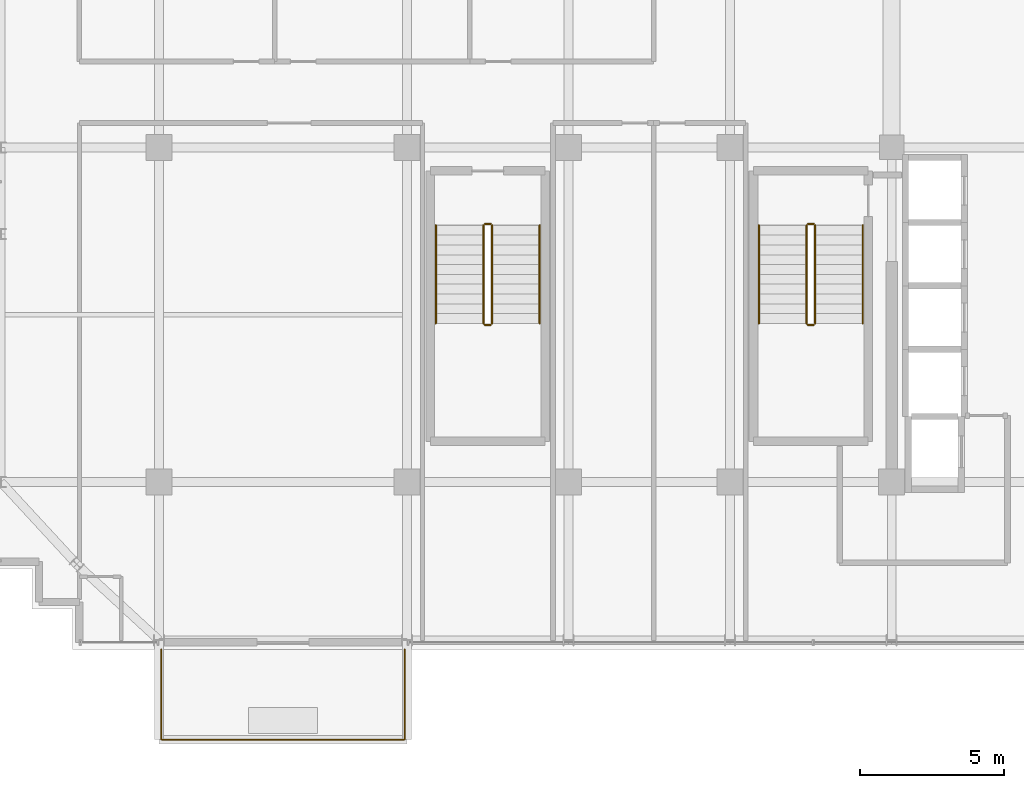
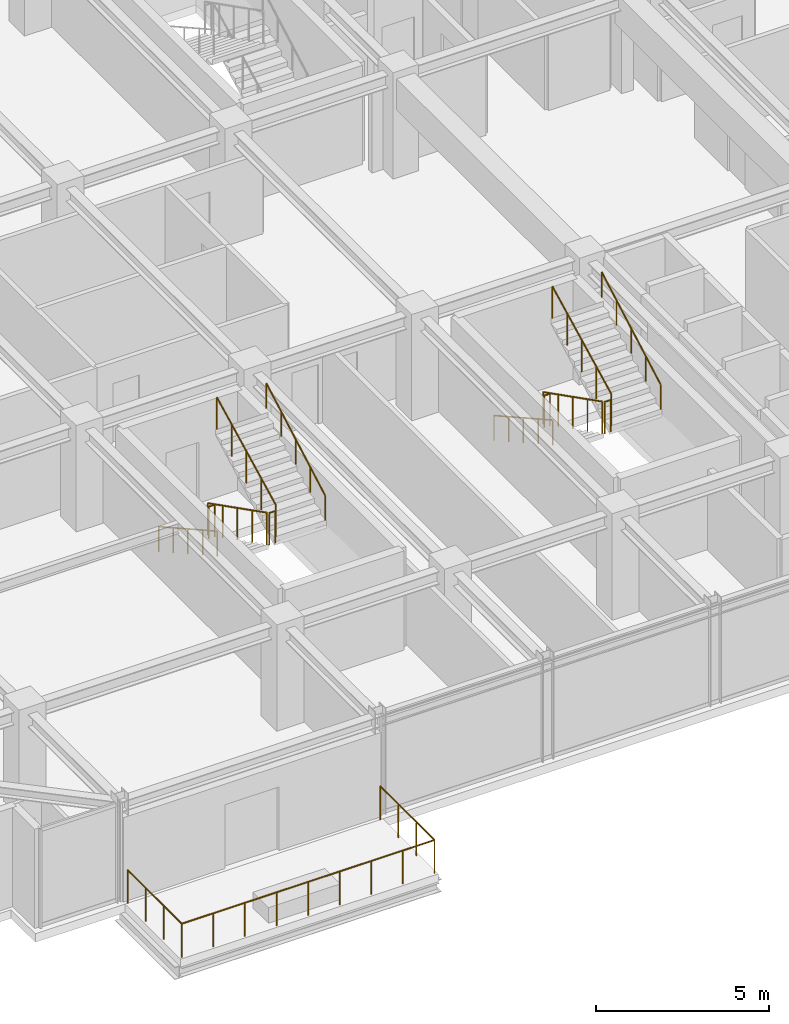
# One storey, part 30 of 32: 13 railings.
"""IFC4 building model written with IfcOpenShell, lengths in metres."""

from ifc_helpers import new_model, si_unit, direction, frame, origin, origin_2d, place, context, subcontext, project, spatial, circle, extrude, material, type_object, element, save


model = new_model("IFC4")

# Units and contexts
model_context = context("Model", 3, precision=1e-05, world=origin(), true_north=direction((0.0, 1.0)))
body_context = subcontext(model_context, "Body", "Model", "MODEL_VIEW")
ifc_project = project(units=[si_unit("LENGTHUNIT", "METRE"), si_unit("AREAUNIT", "SQUARE_METRE"), si_unit("VOLUMEUNIT", "CUBIC_METRE"), si_unit("PLANEANGLEUNIT", "RADIAN"), si_unit("MASSUNIT", "GRAM", prefix="KILO")], contexts=[model_context])

# Site, building, storey
site_placement = place(None, origin())
site = spatial("IfcSite", under=ifc_project, at=site_placement, CompositionType="ELEMENT")
building_placement = place(site_placement, origin())
building = spatial("IfcBuilding", under=site, at=building_placement, Name="Nahalor Promenade Grand Hotel", CompositionType="ELEMENT")
storey_placement = place(building_placement, frame((0.0, 0.0, 330.949951171875)))
storey = spatial("IfcBuildingStorey", under=building, at=storey_placement, Name="L85", CompositionType="ELEMENT", Elevation=330.949951171875)

# Railings
ifc_material_1 = material(Name="Anodised Bronze Aluminium EN AW-6063 T6", Category="aluminium")
railing_type_1 = type_object("IfcRailingType", Name="Bronze Balcony Guardrail 1200 mm", PredefinedType="GUARDRAIL", material=ifc_material_1)
railing_1_placement = place(storey_placement, frame((-16.919921875, -22.800048828125, 0.0)))
element("IfcRailing", 1, at=railing_1_placement, inside=storey, type_object=railing_type_1, Name="L85 Balcony Guardrail 1", PredefinedType="GUARDRAIL", context=body_context, shape_type="SweptSolid", body=[
    extrude(circle(Radius=0.024048, at=origin_2d()), frame((0.0, 0.0, 1.17578125), z_axis=(0.0, -1.0, 0.0), x_axis=(1.0, 0.0, 0.0)), (0.0, 0.0, 1.0), 3.1279296875),
    extrude(circle(Radius=0.024048, at=origin_2d()), frame((0.001953125, -3.1298828125, 1.17578125), z_axis=(1.0, 0.0, 0.0), x_axis=(0.0, 1.0, 0.0)), (0.0, 0.0, 1.0), 8.43603515625),
    extrude(circle(Radius=0.024048, at=origin_2d()), frame((8.43994140625, -3.1279296875, 1.17578125), z_axis=(0.0, 1.0, 0.0), x_axis=(-1.0, 0.0, 0.0)), (0.0, 0.0, 1.0), 3.1279296875),
    extrude(circle(Radius=0.020996, at=origin_2d()), origin(), (0.0, 0.0, 1.0), 1.14990234375),
    extrude(circle(Radius=0.020996, at=origin_2d()), frame((0.0, -1.043212890625, 0.0)), (0.0, 0.0, 1.0), 1.14990234375),
    extrude(circle(Radius=0.020996, at=origin_2d()), frame((0.0, -2.086669921875, 0.0)), (0.0, 0.0, 1.0), 1.14990234375),
    extrude(circle(Radius=0.020996, at=origin_2d()), frame((0.0, -3.1298828125, 0.0)), (0.0, 0.0, 1.0), 1.14990234375),
    extrude(circle(Radius=0.020996, at=origin_2d()), frame((1.054931640625, -3.1298828125, 0.0)), (0.0, 0.0, 1.0), 1.14990234375),
    extrude(circle(Radius=0.020996, at=origin_2d()), frame((2.10986328125, -3.1298828125, 0.0)), (0.0, 0.0, 1.0), 1.14990234375),
    extrude(circle(Radius=0.020996, at=origin_2d()), frame((3.1650390625, -3.1298828125, 0.0)), (0.0, 0.0, 1.0), 1.14990234375),
    extrude(circle(Radius=0.020996, at=origin_2d()), frame((4.219970703125, -3.1298828125, 0.0)), (0.0, 0.0, 1.0), 1.14990234375),
    extrude(circle(Radius=0.020996, at=origin_2d()), frame((5.27490234375, -3.1298828125, 0.0)), (0.0, 0.0, 1.0), 1.14990234375),
    extrude(circle(Radius=0.020996, at=origin_2d()), frame((6.330078125, -3.1298828125, 0.0)), (0.0, 0.0, 1.0), 1.14990234375),
    extrude(circle(Radius=0.020996, at=origin_2d()), frame((7.385009765625, -3.1298828125, 0.0)), (0.0, 0.0, 1.0), 1.14990234375),
    extrude(circle(Radius=0.020996, at=origin_2d()), frame((8.43994140625, -3.1298828125, 0.0)), (0.0, 0.0, 1.0), 1.14990234375),
    extrude(circle(Radius=0.020996, at=origin_2d()), frame((8.43994140625, -2.086669921875, 0.0)), (0.0, 0.0, 1.0), 1.14990234375),
    extrude(circle(Radius=0.020996, at=origin_2d()), frame((8.43994140625, -1.043212890625, 0.0)), (0.0, 0.0, 1.0), 1.14990234375),
    extrude(circle(Radius=0.020996, at=origin_2d()), frame((8.43994140625, 0.0, 0.0)), (0.0, 0.0, 1.0), 1.14990234375),
])
ifc_material_2 = material(Name="Steel S355JR", Category="steel")
railing_type_2 = type_object("IfcRailingType", Name="Steel Stair Guardrail 1150 mm", PredefinedType="GUARDRAIL", material=ifc_material_2)
railing_2_placement = place(storey_placement, frame((5.449951171875, -8.10009765625, 0.1728515625)))
element("IfcRailing", 2, at=railing_2_placement, inside=storey, type_object=railing_type_2, Name="L85 ST2 stair guard 1", PredefinedType="GUARDRAIL", context=body_context, shape_type="SweptSolid", body=[
    extrude(circle(Radius=0.024048, at=origin_2d()), frame((0.0, 0.0, 1.1259765625), z_axis=(0.0, -0.89154070688, 0.452940578858), x_axis=(1.0, 0.0, 0.0)), (0.0, 0.0, 1.0), 3.8134765625),
    extrude(circle(Radius=0.020996, at=origin_2d()), origin(), (0.0, 0.0, 1.0), 1.099853515625),
    extrude(circle(Radius=0.020996, at=origin_2d()), frame((0.0, -0.85009765625, 0.431884765625)), (0.0, 0.0, 1.0), 1.099853515625),
    extrude(circle(Radius=0.020996, at=origin_2d()), frame((0.0, -1.699951171875, 0.86376953125)), (0.0, 0.0, 1.0), 1.099853515625),
    extrude(circle(Radius=0.020996, at=origin_2d()), frame((0.0, -2.5498046875, 1.29541015625)), (0.0, 0.0, 1.0), 1.099853515625),
    extrude(circle(Radius=0.020996, at=origin_2d()), frame((0.0, -3.39990234375, 1.727294921875)), (0.0, 0.0, 1.0), 1.099853515625),
])
railing_3_placement = place(storey_placement, frame((5.5, -11.550048828125, 1.900146484375)))
element("IfcRailing", 3, at=railing_3_placement, inside=storey, type_object=railing_type_2, Name="L85 ST2 stair guard 2", PredefinedType="GUARDRAIL", context=body_context, shape_type="SweptSolid", body=[
    extrude(circle(Radius=0.024048, at=origin_2d()), frame((0.0, 0.0, 1.1259765625), z_axis=(1.0, 0.0, 0.0), x_axis=(0.0, 1.0, 0.0)), (0.0, 0.0, 1.0), 0.199951171875),
    extrude(circle(Radius=0.020996, at=origin_2d()), origin(), (0.0, 0.0, 1.0), 1.099853515625),
    extrude(circle(Radius=0.020996, at=origin_2d()), frame((0.199951171875, 0.0, 0.0)), (0.0, 0.0, 1.0), 1.099853515625),
])
railing_4_placement = place(storey_placement, frame((5.75, -11.5, 2.07275390625)))
element("IfcRailing", 4, at=railing_4_placement, inside=storey, type_object=railing_type_2, Name="L85 ST2 stair guard 3", PredefinedType="GUARDRAIL", context=body_context, shape_type="SweptSolid", body=[
    extrude(circle(Radius=0.024048, at=origin_2d()), frame((0.0, 0.0, 1.1259765625), z_axis=(0.0, 0.89154070688, 0.452940578858), x_axis=(-1.0, 0.0, 0.0)), (0.0, 0.0, 1.0), 3.8134765625),
    extrude(circle(Radius=0.020996, at=origin_2d()), origin(), (0.0, 0.0, 1.0), 1.099853515625),
    extrude(circle(Radius=0.020996, at=origin_2d()), frame((0.0, 0.85009765625, 0.431884765625)), (0.0, 0.0, 1.0), 1.099853515625),
    extrude(circle(Radius=0.020996, at=origin_2d()), frame((0.0, 1.699951171875, 0.86376953125)), (0.0, 0.0, 1.0), 1.099853515625),
    extrude(circle(Radius=0.020996, at=origin_2d()), frame((0.0, 2.5498046875, 1.29541015625)), (0.0, 0.0, 1.0), 1.099853515625),
    extrude(circle(Radius=0.020996, at=origin_2d()), frame((0.0, 3.39990234375, 1.727294921875)), (0.0, 0.0, 1.0), 1.099853515625),
])
railing_5_placement = place(storey_placement, frame((5.5, -8.050048828125, 0.0)))
element("IfcRailing", 5, at=railing_5_placement, inside=storey, type_object=railing_type_2, Name="L85 ST2 stair guard 4", PredefinedType="GUARDRAIL", context=body_context, shape_type="SweptSolid", body=[
    extrude(circle(Radius=0.024048, at=origin_2d()), frame((0.0, 0.0, 1.1259765625), z_axis=(1.0, 0.0, 0.0), x_axis=(0.0, 1.0, 0.0)), (0.0, 0.0, 1.0), 0.199951171875),
    extrude(circle(Radius=0.020996, at=origin_2d()), origin(), (0.0, 0.0, 1.0), 1.099853515625),
    extrude(circle(Radius=0.020996, at=origin_2d()), frame((0.199951171875, 0.0, 0.0)), (0.0, 0.0, 1.0), 1.099853515625),
])
railing_6_placement = place(storey_placement, frame((-5.75, -8.10009765625, 0.1728515625)))
element("IfcRailing", 6, at=railing_6_placement, inside=storey, type_object=railing_type_2, Name="L85 ST3 stair guard 1", PredefinedType="GUARDRAIL", context=body_context, shape_type="SweptSolid", body=[
    extrude(circle(Radius=0.024048, at=origin_2d()), frame((0.0, 0.0, 1.1259765625), z_axis=(0.0, -0.89154070688, 0.452940578858), x_axis=(1.0, 0.0, 0.0)), (0.0, 0.0, 1.0), 3.8134765625),
    extrude(circle(Radius=0.020996, at=origin_2d()), origin(), (0.0, 0.0, 1.0), 1.099853515625),
    extrude(circle(Radius=0.020996, at=origin_2d()), frame((0.0, -0.85009765625, 0.431884765625)), (0.0, 0.0, 1.0), 1.099853515625),
    extrude(circle(Radius=0.020996, at=origin_2d()), frame((0.0, -1.699951171875, 0.86376953125)), (0.0, 0.0, 1.0), 1.099853515625),
    extrude(circle(Radius=0.020996, at=origin_2d()), frame((0.0, -2.5498046875, 1.29541015625)), (0.0, 0.0, 1.0), 1.099853515625),
    extrude(circle(Radius=0.020996, at=origin_2d()), frame((0.0, -3.39990234375, 1.727294921875)), (0.0, 0.0, 1.0), 1.099853515625),
])
railing_7_placement = place(storey_placement, frame((-5.699951171875, -11.550048828125, 1.900146484375)))
element("IfcRailing", 7, at=railing_7_placement, inside=storey, type_object=railing_type_2, Name="L85 ST3 stair guard 2", PredefinedType="GUARDRAIL", context=body_context, shape_type="SweptSolid", body=[
    extrude(circle(Radius=0.024048, at=origin_2d()), frame((0.0, 0.0, 1.1259765625), z_axis=(1.0, 0.0, 0.0), x_axis=(0.0, 1.0, 0.0)), (0.0, 0.0, 1.0), 0.199951171875),
    extrude(circle(Radius=0.020996, at=origin_2d()), origin(), (0.0, 0.0, 1.0), 1.099853515625),
    extrude(circle(Radius=0.020996, at=origin_2d()), frame((0.199951171875, 0.0, 0.0)), (0.0, 0.0, 1.0), 1.099853515625),
])
railing_8_placement = place(storey_placement, frame((-5.449951171875, -11.5, 2.07275390625)))
element("IfcRailing", 8, at=railing_8_placement, inside=storey, type_object=railing_type_2, Name="L85 ST3 stair guard 3", PredefinedType="GUARDRAIL", context=body_context, shape_type="SweptSolid", body=[
    extrude(circle(Radius=0.024048, at=origin_2d()), frame((0.0, 0.0, 1.1259765625), z_axis=(0.0, 0.89154070688, 0.452940578858), x_axis=(-1.0, 0.0, 0.0)), (0.0, 0.0, 1.0), 3.8134765625),
    extrude(circle(Radius=0.020996, at=origin_2d()), origin(), (0.0, 0.0, 1.0), 1.099853515625),
    extrude(circle(Radius=0.020996, at=origin_2d()), frame((0.0, 0.85009765625, 0.431884765625)), (0.0, 0.0, 1.0), 1.099853515625),
    extrude(circle(Radius=0.020996, at=origin_2d()), frame((0.0, 1.699951171875, 0.86376953125)), (0.0, 0.0, 1.0), 1.099853515625),
    extrude(circle(Radius=0.020996, at=origin_2d()), frame((0.0, 2.5498046875, 1.29541015625)), (0.0, 0.0, 1.0), 1.099853515625),
    extrude(circle(Radius=0.020996, at=origin_2d()), frame((0.0, 3.39990234375, 1.727294921875)), (0.0, 0.0, 1.0), 1.099853515625),
])
railing_9_placement = place(storey_placement, frame((-5.699951171875, -8.050048828125, 0.0)))
element("IfcRailing", 9, at=railing_9_placement, inside=storey, type_object=railing_type_2, Name="L85 ST3 stair guard 4", PredefinedType="GUARDRAIL", context=body_context, shape_type="SweptSolid", body=[
    extrude(circle(Radius=0.024048, at=origin_2d()), frame((0.0, 0.0, 1.1259765625), z_axis=(1.0, 0.0, 0.0), x_axis=(0.0, 1.0, 0.0)), (0.0, 0.0, 1.0), 0.199951171875),
    extrude(circle(Radius=0.020996, at=origin_2d()), origin(), (0.0, 0.0, 1.0), 1.099853515625),
    extrude(circle(Radius=0.020996, at=origin_2d()), frame((0.199951171875, 0.0, 0.0)), (0.0, 0.0, 1.0), 1.099853515625),
])
railing_type_3 = type_object("IfcRailingType", Name="Steel Stair Handrail 900 mm", PredefinedType="HANDRAIL", material=ifc_material_2)
railing_10_placement = place(storey_placement, frame((3.800048828125, -8.10009765625, 0.1728515625)))
element("IfcRailing", 10, at=railing_10_placement, inside=storey, type_object=railing_type_3, Name="L85 ST2 stair handrail 1", PredefinedType="HANDRAIL", context=body_context, shape_type="SweptSolid", body=[
    extrude(circle(Radius=0.024048, at=origin_2d()), frame((0.0, 0.0, 0.8759765625), z_axis=(0.0, -0.872948192752, 0.487812928048), x_axis=(1.0, 0.0, 0.0)), (0.0, 0.0, 1.0), 3.894775390625),
    extrude(circle(Radius=0.020996, at=origin_2d()), origin(), (0.0, 0.0, 1.0), 0.849853515625),
    extrude(circle(Radius=0.020996, at=origin_2d()), frame((0.0, -0.85009765625, 0.47509765625)), (0.0, 0.0, 1.0), 0.849853515625),
    extrude(circle(Radius=0.020996, at=origin_2d()), frame((0.0, -1.699951171875, 0.949951171875)), (0.0, 0.0, 1.0), 0.849853515625),
    extrude(circle(Radius=0.020996, at=origin_2d()), frame((0.0, -2.5498046875, 1.4248046875)), (0.0, 0.0, 1.0), 0.849853515625),
    extrude(circle(Radius=0.020996, at=origin_2d()), frame((0.0, -3.39990234375, 1.89990234375)), (0.0, 0.0, 1.0), 0.849853515625),
])
railing_11_placement = place(storey_placement, frame((7.39990234375, -11.5, 2.07275390625)))
element("IfcRailing", 11, at=railing_11_placement, inside=storey, type_object=railing_type_3, Name="L85 ST2 stair handrail 2", PredefinedType="HANDRAIL", context=body_context, shape_type="SweptSolid", body=[
    extrude(circle(Radius=0.024048, at=origin_2d()), frame((0.0, 0.0, 0.8759765625), z_axis=(0.0, 0.872948192752, 0.487812928048), x_axis=(-1.0, 0.0, 0.0)), (0.0, 0.0, 1.0), 3.894775390625),
    extrude(circle(Radius=0.020996, at=origin_2d()), origin(), (0.0, 0.0, 1.0), 0.849853515625),
    extrude(circle(Radius=0.020996, at=origin_2d()), frame((0.0, 0.85009765625, 0.47509765625)), (0.0, 0.0, 1.0), 0.849853515625),
    extrude(circle(Radius=0.020996, at=origin_2d()), frame((0.0, 1.699951171875, 0.949951171875)), (0.0, 0.0, 1.0), 0.849853515625),
    extrude(circle(Radius=0.020996, at=origin_2d()), frame((0.0, 2.5498046875, 1.4248046875)), (0.0, 0.0, 1.0), 0.849853515625),
    extrude(circle(Radius=0.020996, at=origin_2d()), frame((0.0, 3.39990234375, 1.89990234375)), (0.0, 0.0, 1.0), 0.849853515625),
])
railing_12_placement = place(storey_placement, frame((-7.39990234375, -8.10009765625, 0.1728515625)))
element("IfcRailing", 12, at=railing_12_placement, inside=storey, type_object=railing_type_3, Name="L85 ST3 stair handrail 1", PredefinedType="HANDRAIL", context=body_context, shape_type="SweptSolid", body=[
    extrude(circle(Radius=0.024048, at=origin_2d()), frame((0.0, 0.0, 0.8759765625), z_axis=(0.0, -0.872948192752, 0.487812928048), x_axis=(1.0, 0.0, 0.0)), (0.0, 0.0, 1.0), 3.894775390625),
    extrude(circle(Radius=0.020996, at=origin_2d()), origin(), (0.0, 0.0, 1.0), 0.849853515625),
    extrude(circle(Radius=0.020996, at=origin_2d()), frame((0.0, -0.85009765625, 0.47509765625)), (0.0, 0.0, 1.0), 0.849853515625),
    extrude(circle(Radius=0.020996, at=origin_2d()), frame((0.0, -1.699951171875, 0.949951171875)), (0.0, 0.0, 1.0), 0.849853515625),
    extrude(circle(Radius=0.020996, at=origin_2d()), frame((0.0, -2.5498046875, 1.4248046875)), (0.0, 0.0, 1.0), 0.849853515625),
    extrude(circle(Radius=0.020996, at=origin_2d()), frame((0.0, -3.39990234375, 1.89990234375)), (0.0, 0.0, 1.0), 0.849853515625),
])
railing_13_placement = place(storey_placement, frame((-3.800048828125, -11.5, 2.07275390625)))
element("IfcRailing", 13, at=railing_13_placement, inside=storey, type_object=railing_type_3, Name="L85 ST3 stair handrail 2", PredefinedType="HANDRAIL", context=body_context, shape_type="SweptSolid", body=[
    extrude(circle(Radius=0.024048, at=origin_2d()), frame((0.0, 0.0, 0.8759765625), z_axis=(0.0, 0.872948192752, 0.487812928048), x_axis=(-1.0, 0.0, 0.0)), (0.0, 0.0, 1.0), 3.894775390625),
    extrude(circle(Radius=0.020996, at=origin_2d()), origin(), (0.0, 0.0, 1.0), 0.849853515625),
    extrude(circle(Radius=0.020996, at=origin_2d()), frame((0.0, 0.85009765625, 0.47509765625)), (0.0, 0.0, 1.0), 0.849853515625),
    extrude(circle(Radius=0.020996, at=origin_2d()), frame((0.0, 1.699951171875, 0.949951171875)), (0.0, 0.0, 1.0), 0.849853515625),
    extrude(circle(Radius=0.020996, at=origin_2d()), frame((0.0, 2.5498046875, 1.4248046875)), (0.0, 0.0, 1.0), 0.849853515625),
    extrude(circle(Radius=0.020996, at=origin_2d()), frame((0.0, 3.39990234375, 1.89990234375)), (0.0, 0.0, 1.0), 0.849853515625),
])

save(model, "model.ifc")
